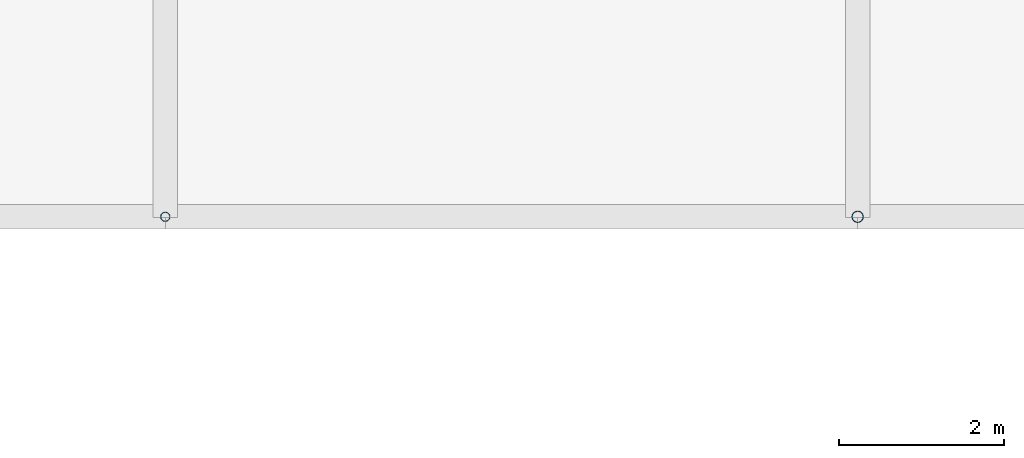
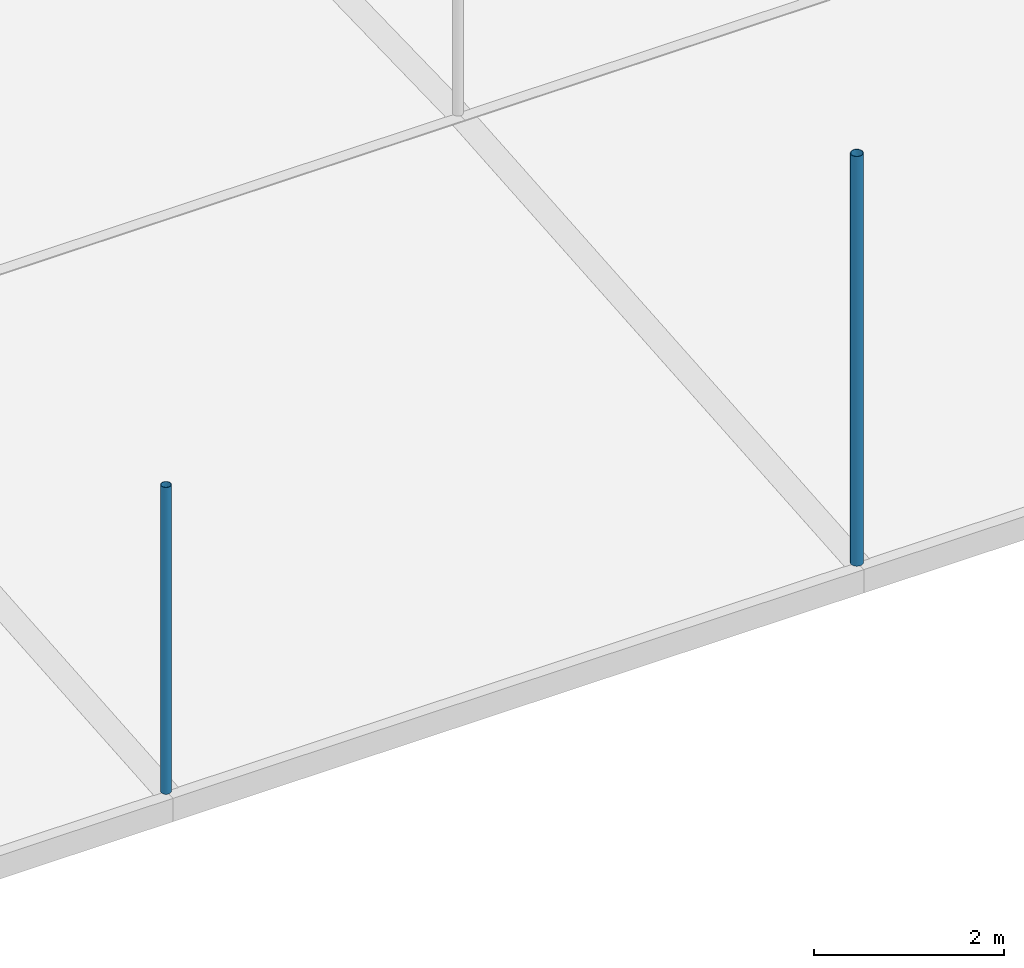
# One storey, part 17 of 37: 2 discrete accessories.
"""IFC4 building model written with IfcOpenShell, lengths in metres."""

from ifc_helpers import new_model, si_unit, direction, frame, origin, origin_2d, place, context, subcontext, project, spatial, hollow_circle, extrude, material, material_profile, profile_set, type_object, element, save


model = new_model("IFC4")

# Units and contexts
model_context = context("Model", 3, precision=1e-05, world=origin(), true_north=direction((0.0, 1.0)))
body_context = subcontext(model_context, "Body", "Model", "MODEL_VIEW")
ifc_project = project(units=[si_unit("LENGTHUNIT", "METRE"), si_unit("AREAUNIT", "SQUARE_METRE"), si_unit("VOLUMEUNIT", "CUBIC_METRE"), si_unit("PLANEANGLEUNIT", "RADIAN"), si_unit("MASSUNIT", "GRAM", prefix="KILO")], contexts=[model_context])

# Site, building, storey
site_placement = place(None, origin())
site = spatial("IfcSite", under=ifc_project, at=site_placement, CompositionType="ELEMENT")
building_placement = place(site_placement, origin())
building = spatial("IfcBuilding", under=site, at=building_placement, Name="Rain Tree Exposition and Congress Centre", CompositionType="ELEMENT")
storey_placement = place(building_placement, frame((0.0, 0.0, 25.0)))
storey = spatial("IfcBuildingStorey", under=building, at=storey_placement, Name="ROOF VAULT LOW", CompositionType="ELEMENT", Elevation=25.0)

# Discrete accessories
ifc_material_1 = material(Name="Steel S355J2H", Category="steel")
ifc_material_profile_1 = material_profile(ifc_material_1, hollow_circle(Radius=0.05712890625, WallThickness=0.00439453125, at=origin_2d()), Name="CHS 114x4.5")
ifc_profile_set_1 = profile_set([ifc_material_profile_1], Name="Steel S355J2H")
discrete_accessory_type_1 = type_object("IfcDiscreteAccessoryType", Name="Roof skin post CHS 114x4.5", PredefinedType="BRACKET", material=ifc_profile_set_1)
discrete_accessory_1_placement = place(storey_placement, frame((75.60009765625, 134.39990234375, 0.4892578125), z_axis=(0.0, 0.0, 1.0), x_axis=(1.0, 0.0, 0.0)))
element("IfcDiscreteAccessory", 1, at=discrete_accessory_1_placement, inside=storey, type_object=discrete_accessory_type_1, Name="Roof skin post A69", PredefinedType="BRACKET", context=body_context, shape_type="SweptSolid", body=[
    extrude(hollow_circle(Radius=0.05712890625, WallThickness=0.00439453125, at=origin_2d()), origin(), (0.0, 0.0, 1.0), 3.944091796875),
])
ifc_material_2 = material(Name="Steel S355J2H", Category="steel")
ifc_material_profile_2 = material_profile(ifc_material_2, hollow_circle(Radius=0.06982421875, WallThickness=0.0048828125, at=origin_2d()), Name="CHS 140x5")
ifc_profile_set_2 = profile_set([ifc_material_profile_2], Name="Steel S355J2H")
discrete_accessory_type_2 = type_object("IfcDiscreteAccessoryType", Name="Roof skin post CHS 140x5", PredefinedType="BRACKET", material=ifc_profile_set_2)
discrete_accessory_2_placement = place(storey_placement, frame((84.0, 134.39990234375, 0.4892578125), z_axis=(0.0, 0.0, 1.0), x_axis=(1.0, 0.0, 0.0)))
element("IfcDiscreteAccessory", 2, at=discrete_accessory_2_placement, inside=storey, type_object=discrete_accessory_type_2, Name="Roof skin post A70", PredefinedType="BRACKET", context=body_context, shape_type="SweptSolid", body=[
    extrude(hollow_circle(Radius=0.06982421875, WallThickness=0.0048828125, at=origin_2d()), origin(), (0.0, 0.0, 1.0), 5.26611328125),
])

save(model, "model.ifc")
